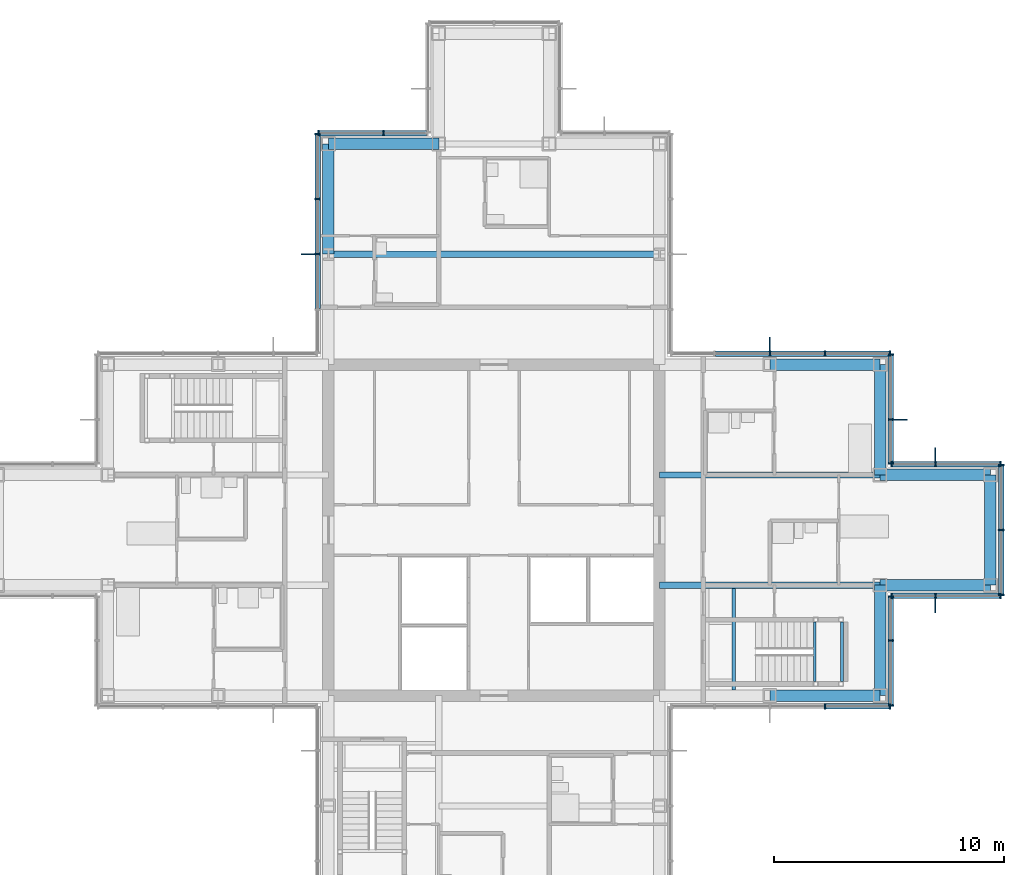
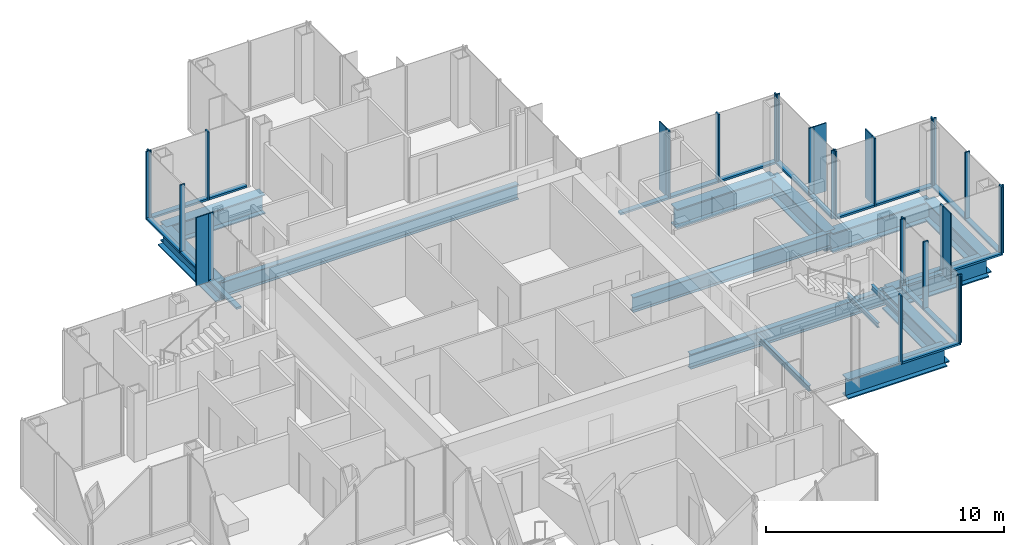
# One storey, part 8 of 17: 49 members, 15 beams, 9 elements without a shape of their own.
"""IFC4 building model written with IfcOpenShell, lengths in metres."""

from ifc_helpers import new_model, si_unit, direction, frame, origin, origin_2d, place, context, subcontext, project, spatial, rectangle, i_section, extrude, material, material_profile, profile_set, type_object, element, aggregate, save


model = new_model("IFC4")

# Units and contexts
model_context = context("Model", 3, precision=1e-05, world=origin(), true_north=direction((0.0, 1.0)))
body_context = subcontext(model_context, "Body", "Model", "MODEL_VIEW")
ifc_project = project(units=[si_unit("LENGTHUNIT", "METRE"), si_unit("AREAUNIT", "SQUARE_METRE"), si_unit("VOLUMEUNIT", "CUBIC_METRE"), si_unit("PLANEANGLEUNIT", "RADIAN"), si_unit("MASSUNIT", "GRAM", prefix="KILO")], contexts=[model_context])

# Site, building, storey
site_placement = place(None, origin())
site = spatial("IfcSite", under=ifc_project, at=site_placement, CompositionType="ELEMENT")
building_placement = place(site_placement, origin())
building = spatial("IfcBuilding", under=site, at=building_placement, Name="Kvirike Care Tower", CompositionType="ELEMENT")
storey_placement = place(building_placement, frame((0.0, 0.0, 169.0)))
storey = spatial("IfcBuildingStorey", under=building, at=storey_placement, Name="L46", CompositionType="ELEMENT", Elevation=169.0)

# Curtain wall, member
ifc_material_1 = material(Name="Anodised aluminium stick system", Category="aluminium")
curtain_wall_type = type_object("IfcCurtainWallType", Name="CW-C STICK CURTAIN WALL", PredefinedType="NOTDEFINED", material=ifc_material_1)
curtain_wall_1_placement = place(storey_placement, origin())
curtain_wall_1 = element("IfcCurtainWall", 1, at=curtain_wall_1_placement, inside=storey, type_object=curtain_wall_type, Name="Curtain wall L46 face 3", PredefinedType="NOTDEFINED")
ifc_material_2 = material(Name="Bronze anodised aluminium fin", Category="aluminium")
ifc_material_profile_1 = material_profile(ifc_material_2, rectangle(XDim=0.050048828125, YDim=0.60009765625, at=origin_2d()), Name="BRONZE FIN 600")
ifc_profile_set_1 = profile_set([ifc_material_profile_1], Name="Bronze anodised aluminium fin")
member_type_1 = type_object("IfcMemberType", Name="BRONZE FIN 600", PredefinedType="USERDEFINED", material=ifc_profile_set_1)
member_1_placement = place(storey_placement, frame((40.800048828125, 32.7099609375, 0.0), z_axis=(0.0, 0.0, 1.0), x_axis=(1.0, 0.0, 0.0)))
member_1 = element("IfcMember", 2, at=member_1_placement, type_object=member_type_1, Name="Bronze fin L46 face 3.2", ObjectType="FIN", PredefinedType="USERDEFINED", context=body_context, shape_type="SweptSolid", body=[
    extrude(rectangle(XDim=0.050048828125, YDim=0.60009765625, at=origin_2d()), origin(), (0.0, 0.0, 1.0), 3.5),
])

curtain_wall_2_placement = place(storey_placement, origin())
curtain_wall_2 = element("IfcCurtainWall", 3, at=curtain_wall_2_placement, inside=storey, type_object=curtain_wall_type, Name="Curtain wall L46 face 5", PredefinedType="NOTDEFINED")
member_2_placement = place(storey_placement, frame((40.800048828125, 39.2900390625, 0.0), z_axis=(0.0, 0.0, 1.0), x_axis=(-1.0, 0.0, 0.0)))
member_2 = element("IfcMember", 4, at=member_2_placement, type_object=member_type_1, Name="Bronze fin L46 face 5.2", ObjectType="FIN", PredefinedType="USERDEFINED", context=body_context, shape_type="SweptSolid", body=[
    extrude(rectangle(XDim=0.050048828125, YDim=0.60009765625, at=origin_2d()), origin(), (0.0, 0.0, 1.0), 3.5),
])

curtain_wall_3_placement = place(storey_placement, origin())
curtain_wall_3 = element("IfcCurtainWall", 5, at=curtain_wall_3_placement, inside=storey, type_object=curtain_wall_type, Name="Curtain wall L46 face 6", PredefinedType="NOTDEFINED")
member_3_placement = place(storey_placement, frame((39.2900390625, 40.800048828125, 0.0), z_axis=(0.0, 0.0, 1.0), x_axis=(0.0, 1.0, 0.0)))
member_3 = element("IfcMember", 6, at=member_3_placement, type_object=member_type_1, Name="Bronze fin L46 face 6.2", ObjectType="FIN", PredefinedType="USERDEFINED", context=body_context, shape_type="SweptSolid", body=[
    extrude(rectangle(XDim=0.050048828125, YDim=0.60009765625, at=origin_2d()), origin(), (0.0, 0.0, 1.0), 3.5),
])

curtain_wall_4_placement = place(storey_placement, origin())
curtain_wall_4 = element("IfcCurtainWall", 7, at=curtain_wall_4_placement, inside=storey, type_object=curtain_wall_type, Name="Curtain wall L46 face 7", PredefinedType="NOTDEFINED")
member_4_placement = place(storey_placement, frame((33.60009765625, 44.090087890625, 0.0), z_axis=(0.0, 0.0, 1.0), x_axis=(-1.0, 0.0, 0.0)))
member_4 = element("IfcMember", 8, at=member_4_placement, type_object=member_type_1, Name="Bronze fin L46 face 7.3", ObjectType="FIN", PredefinedType="USERDEFINED", context=body_context, shape_type="SweptSolid", body=[
    extrude(rectangle(XDim=0.050048828125, YDim=0.60009765625, at=origin_2d()), origin(), (0.0, 0.0, 1.0), 3.5),
])

curtain_wall_5_placement = place(storey_placement, origin())
curtain_wall_5 = element("IfcCurtainWall", 9, at=curtain_wall_5_placement, inside=storey, type_object=curtain_wall_type, Name="Curtain wall L46 face 14", PredefinedType="NOTDEFINED")
member_5_placement = place(storey_placement, frame((13.510009765625, 48.0, 0.0), z_axis=(0.0, 0.0, 1.0), x_axis=(0.0, -1.0, 0.0)))
member_5 = element("IfcMember", 10, at=member_5_placement, type_object=member_type_1, Name="Bronze fin L46 face 14.3", ObjectType="FIN", PredefinedType="USERDEFINED", context=body_context, shape_type="SweptSolid", body=[
    extrude(rectangle(XDim=0.050048828125, YDim=0.60009765625, at=origin_2d()), origin(), (0.0, 0.0, 1.0), 3.5),
])

# Curtain wall, members
curtain_wall_6_placement = place(storey_placement, origin())
curtain_wall_6 = element("IfcCurtainWall", 11, at=curtain_wall_6_placement, inside=storey, type_object=curtain_wall_type, Name="Curtain wall L46 face 1", PredefinedType="NOTDEFINED")
ifc_material_3 = material(Name="Bronze anodised aluminium mullion", Category="aluminium")
ifc_material_profile_2 = material_profile(ifc_material_3, rectangle(XDim=0.06494140625, YDim=0.239990234375, at=origin_2d()), Name="CW-C MULLION 65x240")
ifc_profile_set_2 = profile_set([ifc_material_profile_2], Name="Bronze anodised aluminium mullion")
member_type_2 = type_object("IfcMemberType", Name="CW-C MULLION 65x240", PredefinedType="MULLION", material=ifc_profile_set_2)
member_6_placement = place(storey_placement, frame((36.0, 28.330078125, 0.0), z_axis=(0.0, 0.0, 1.0), x_axis=(1.0, 0.0, 0.0)))
member_6 = element("IfcMember", 12, at=member_6_placement, type_object=member_type_2, Name="CW-C mullion L46 face 1.4", PredefinedType="MULLION", context=body_context, shape_type="SweptSolid", body=[
    extrude(rectangle(XDim=0.06494140625, YDim=0.239990234375, at=origin_2d()), origin(), (0.0, 0.0, 1.0), 3.5),
])
member_7_placement = place(storey_placement, frame((38.83740234375, 28.330078125, 0.0), z_axis=(0.0, 0.0, 1.0), x_axis=(1.0, 0.0, 0.0)))
member_7 = element("IfcMember", 13, at=member_7_placement, type_object=member_type_2, Name="CW-C mullion L46 face 1.5", PredefinedType="MULLION", context=body_context, shape_type="SweptSolid", body=[
    extrude(rectangle(XDim=0.06494140625, YDim=0.239990234375, at=origin_2d()), origin(), (0.0, 0.0, 1.0), 3.5),
])

curtain_wall_7_placement = place(storey_placement, origin())
curtain_wall_7 = element("IfcCurtainWall", 14, at=curtain_wall_7_placement, inside=storey, type_object=curtain_wall_type, Name="Curtain wall L46 face 2", PredefinedType="NOTDEFINED")
member_8_placement = place(storey_placement, frame((38.8701171875, 28.362548828125, 0.0), z_axis=(0.0, 0.0, 1.0), x_axis=(0.0, 1.0, 0.0)))
member_8 = element("IfcMember", 15, at=member_8_placement, type_object=member_type_2, Name="CW-C mullion L46 face 2.1", PredefinedType="MULLION", context=body_context, shape_type="SweptSolid", body=[
    extrude(rectangle(XDim=0.06494140625, YDim=0.239990234375, at=origin_2d()), origin(), (0.0, 0.0, 1.0), 3.5),
])
member_9_placement = place(storey_placement, frame((38.8701171875, 31.199951171875, 0.0), z_axis=(0.0, 0.0, 1.0), x_axis=(0.0, 1.0, 0.0)))
member_9 = element("IfcMember", 16, at=member_9_placement, type_object=member_type_2, Name="CW-C mullion L46 face 2.2", PredefinedType="MULLION", context=body_context, shape_type="SweptSolid", body=[
    extrude(rectangle(XDim=0.06494140625, YDim=0.239990234375, at=origin_2d()), origin(), (0.0, 0.0, 1.0), 3.5),
])
member_10_placement = place(storey_placement, frame((38.8701171875, 33.097412109375, 0.0), z_axis=(0.0, 0.0, 1.0), x_axis=(0.0, 1.0, 0.0)))
member_10 = element("IfcMember", 17, at=member_10_placement, type_object=member_type_2, Name="CW-C mullion L46 face 2.3", PredefinedType="MULLION", context=body_context, shape_type="SweptSolid", body=[
    extrude(rectangle(XDim=0.06494140625, YDim=0.239990234375, at=origin_2d()), origin(), (0.0, 0.0, 1.0), 3.5),
])

# Member
member_11_placement = place(storey_placement, frame((38.902587890625, 33.1298828125, 0.0), z_axis=(0.0, 0.0, 1.0), x_axis=(1.0, 0.0, 0.0)))
member_11 = element("IfcMember", 18, at=member_11_placement, type_object=member_type_2, Name="CW-C mullion L46 face 3.1", PredefinedType="MULLION", context=body_context, shape_type="SweptSolid", body=[
    extrude(rectangle(XDim=0.06494140625, YDim=0.239990234375, at=origin_2d()), origin(), (0.0, 0.0, 1.0), 3.5),
])

member_12_placement = place(storey_placement, frame((40.800048828125, 33.1298828125, 0.0), z_axis=(0.0, 0.0, 1.0), x_axis=(1.0, 0.0, 0.0)))
member_12 = element("IfcMember", 19, at=member_12_placement, type_object=member_type_2, Name="CW-C mullion L46 face 3.2", PredefinedType="MULLION", context=body_context, shape_type="SweptSolid", body=[
    extrude(rectangle(XDim=0.06494140625, YDim=0.239990234375, at=origin_2d()), origin(), (0.0, 0.0, 1.0), 3.5),
])

member_13_placement = place(storey_placement, frame((43.637451171875, 33.1298828125, 0.0), z_axis=(0.0, 0.0, 1.0), x_axis=(1.0, 0.0, 0.0)))
member_13 = element("IfcMember", 20, at=member_13_placement, type_object=member_type_2, Name="CW-C mullion L46 face 3.3", PredefinedType="MULLION", context=body_context, shape_type="SweptSolid", body=[
    extrude(rectangle(XDim=0.06494140625, YDim=0.239990234375, at=origin_2d()), origin(), (0.0, 0.0, 1.0), 3.5),
])

# Curtain wall, members
curtain_wall_8_placement = place(storey_placement, origin())
curtain_wall_8 = element("IfcCurtainWall", 21, at=curtain_wall_8_placement, inside=storey, type_object=curtain_wall_type, Name="Curtain wall L46 face 4", PredefinedType="NOTDEFINED")
member_14_placement = place(storey_placement, frame((43.669921875, 33.16259765625, 0.0), z_axis=(0.0, 0.0, 1.0), x_axis=(0.0, 1.0, 0.0)))
member_14 = element("IfcMember", 22, at=member_14_placement, type_object=member_type_2, Name="CW-C mullion L46 face 4.1", PredefinedType="MULLION", context=body_context, shape_type="SweptSolid", body=[
    extrude(rectangle(XDim=0.06494140625, YDim=0.239990234375, at=origin_2d()), origin(), (0.0, 0.0, 1.0), 3.5),
])
member_15_placement = place(storey_placement, frame((43.669921875, 36.0, 0.0), z_axis=(0.0, 0.0, 1.0), x_axis=(0.0, 1.0, 0.0)))
member_15 = element("IfcMember", 23, at=member_15_placement, type_object=member_type_2, Name="CW-C mullion L46 face 4.2", PredefinedType="MULLION", context=body_context, shape_type="SweptSolid", body=[
    extrude(rectangle(XDim=0.06494140625, YDim=0.239990234375, at=origin_2d()), origin(), (0.0, 0.0, 1.0), 3.5),
])
member_16_placement = place(storey_placement, frame((43.669921875, 38.83740234375, 0.0), z_axis=(0.0, 0.0, 1.0), x_axis=(0.0, 1.0, 0.0)))
member_16 = element("IfcMember", 24, at=member_16_placement, type_object=member_type_2, Name="CW-C mullion L46 face 4.3", PredefinedType="MULLION", context=body_context, shape_type="SweptSolid", body=[
    extrude(rectangle(XDim=0.06494140625, YDim=0.239990234375, at=origin_2d()), origin(), (0.0, 0.0, 1.0), 3.5),
])

# Member
member_17_placement = place(storey_placement, frame((43.637451171875, 38.8701171875, 0.0), z_axis=(0.0, 0.0, 1.0), x_axis=(-1.0, 0.0, 0.0)))
member_17 = element("IfcMember", 25, at=member_17_placement, type_object=member_type_2, Name="CW-C mullion L46 face 5.1", PredefinedType="MULLION", context=body_context, shape_type="SweptSolid", body=[
    extrude(rectangle(XDim=0.06494140625, YDim=0.239990234375, at=origin_2d()), origin(), (0.0, 0.0, 1.0), 3.5),
])

member_18_placement = place(storey_placement, frame((40.800048828125, 38.8701171875, 0.0), z_axis=(0.0, 0.0, 1.0), x_axis=(-1.0, 0.0, 0.0)))
member_18 = element("IfcMember", 26, at=member_18_placement, type_object=member_type_2, Name="CW-C mullion L46 face 5.2", PredefinedType="MULLION", context=body_context, shape_type="SweptSolid", body=[
    extrude(rectangle(XDim=0.06494140625, YDim=0.239990234375, at=origin_2d()), origin(), (0.0, 0.0, 1.0), 3.5),
])

member_19_placement = place(storey_placement, frame((38.902587890625, 38.8701171875, 0.0), z_axis=(0.0, 0.0, 1.0), x_axis=(-1.0, 0.0, 0.0)))
member_19 = element("IfcMember", 27, at=member_19_placement, type_object=member_type_2, Name="CW-C mullion L46 face 5.3", PredefinedType="MULLION", context=body_context, shape_type="SweptSolid", body=[
    extrude(rectangle(XDim=0.06494140625, YDim=0.239990234375, at=origin_2d()), origin(), (0.0, 0.0, 1.0), 3.5),
])

member_20_placement = place(storey_placement, frame((38.8701171875, 38.902587890625, 0.0), z_axis=(0.0, 0.0, 1.0), x_axis=(0.0, 1.0, 0.0)))
member_20 = element("IfcMember", 28, at=member_20_placement, type_object=member_type_2, Name="CW-C mullion L46 face 6.1", PredefinedType="MULLION", context=body_context, shape_type="SweptSolid", body=[
    extrude(rectangle(XDim=0.06494140625, YDim=0.239990234375, at=origin_2d()), origin(), (0.0, 0.0, 1.0), 3.5),
])

member_21_placement = place(storey_placement, frame((38.8701171875, 40.800048828125, 0.0), z_axis=(0.0, 0.0, 1.0), x_axis=(0.0, 1.0, 0.0)))
member_21 = element("IfcMember", 29, at=member_21_placement, type_object=member_type_2, Name="CW-C mullion L46 face 6.2", PredefinedType="MULLION", context=body_context, shape_type="SweptSolid", body=[
    extrude(rectangle(XDim=0.06494140625, YDim=0.239990234375, at=origin_2d()), origin(), (0.0, 0.0, 1.0), 3.5),
])

member_22_placement = place(storey_placement, frame((38.8701171875, 43.637451171875, 0.0), z_axis=(0.0, 0.0, 1.0), x_axis=(0.0, 1.0, 0.0)))
member_22 = element("IfcMember", 30, at=member_22_placement, type_object=member_type_2, Name="CW-C mullion L46 face 6.3", PredefinedType="MULLION", context=body_context, shape_type="SweptSolid", body=[
    extrude(rectangle(XDim=0.06494140625, YDim=0.239990234375, at=origin_2d()), origin(), (0.0, 0.0, 1.0), 3.5),
])

member_23_placement = place(storey_placement, frame((38.83740234375, 43.669921875, 0.0), z_axis=(0.0, 0.0, 1.0), x_axis=(-1.0, 0.0, 0.0)))
member_23 = element("IfcMember", 31, at=member_23_placement, type_object=member_type_2, Name="CW-C mullion L46 face 7.1", PredefinedType="MULLION", context=body_context, shape_type="SweptSolid", body=[
    extrude(rectangle(XDim=0.06494140625, YDim=0.239990234375, at=origin_2d()), origin(), (0.0, 0.0, 1.0), 3.5),
])

member_24_placement = place(storey_placement, frame((36.0, 43.669921875, 0.0), z_axis=(0.0, 0.0, 1.0), x_axis=(-1.0, 0.0, 0.0)))
member_24 = element("IfcMember", 32, at=member_24_placement, type_object=member_type_2, Name="CW-C mullion L46 face 7.2", PredefinedType="MULLION", context=body_context, shape_type="SweptSolid", body=[
    extrude(rectangle(XDim=0.06494140625, YDim=0.239990234375, at=origin_2d()), origin(), (0.0, 0.0, 1.0), 3.5),
])

member_25_placement = place(storey_placement, frame((33.60009765625, 43.669921875, 0.0), z_axis=(0.0, 0.0, 1.0), x_axis=(-1.0, 0.0, 0.0)))
member_25 = element("IfcMember", 33, at=member_25_placement, type_object=member_type_2, Name="CW-C mullion L46 face 7.3", PredefinedType="MULLION", context=body_context, shape_type="SweptSolid", body=[
    extrude(rectangle(XDim=0.06494140625, YDim=0.239990234375, at=origin_2d()), origin(), (0.0, 0.0, 1.0), 3.5),
])

# Curtain wall, members
curtain_wall_9_placement = place(storey_placement, origin())
curtain_wall_9 = element("IfcCurtainWall", 34, at=curtain_wall_9_placement, inside=storey, type_object=curtain_wall_type, Name="Curtain wall L46 face 13", PredefinedType="NOTDEFINED")
member_26_placement = place(storey_placement, frame((16.800048828125, 53.27001953125, 0.0), z_axis=(0.0, 0.0, 1.0), x_axis=(-1.0, 0.0, 0.0)))
member_26 = element("IfcMember", 35, at=member_26_placement, type_object=member_type_2, Name="CW-C mullion L46 face 13.2", PredefinedType="MULLION", context=body_context, shape_type="SweptSolid", body=[
    extrude(rectangle(XDim=0.06494140625, YDim=0.239990234375, at=origin_2d()), origin(), (0.0, 0.0, 1.0), 3.5),
])
member_27_placement = place(storey_placement, frame((13.96240234375, 53.27001953125, 0.0), z_axis=(0.0, 0.0, 1.0), x_axis=(-1.0, 0.0, 0.0)))
member_27 = element("IfcMember", 36, at=member_27_placement, type_object=member_type_2, Name="CW-C mullion L46 face 13.3", PredefinedType="MULLION", context=body_context, shape_type="SweptSolid", body=[
    extrude(rectangle(XDim=0.06494140625, YDim=0.239990234375, at=origin_2d()), origin(), (0.0, 0.0, 1.0), 3.5),
])

# Member
member_28_placement = place(storey_placement, frame((13.929931640625, 53.237548828125, 0.0), z_axis=(0.0, 0.0, 1.0), x_axis=(0.0, -1.0, 0.0)))
member_28 = element("IfcMember", 37, at=member_28_placement, type_object=member_type_2, Name="CW-C mullion L46 face 14.1", PredefinedType="MULLION", context=body_context, shape_type="SweptSolid", body=[
    extrude(rectangle(XDim=0.06494140625, YDim=0.239990234375, at=origin_2d()), origin(), (0.0, 0.0, 1.0), 3.5),
])

member_29_placement = place(storey_placement, frame((13.929931640625, 50.39990234375, 0.0), z_axis=(0.0, 0.0, 1.0), x_axis=(0.0, -1.0, 0.0)))
member_29 = element("IfcMember", 38, at=member_29_placement, type_object=member_type_2, Name="CW-C mullion L46 face 14.2", PredefinedType="MULLION", context=body_context, shape_type="SweptSolid", body=[
    extrude(rectangle(XDim=0.06494140625, YDim=0.239990234375, at=origin_2d()), origin(), (0.0, 0.0, 1.0), 3.5),
])

member_30_placement = place(storey_placement, frame((13.929931640625, 48.0, 0.0), z_axis=(0.0, 0.0, 1.0), x_axis=(0.0, -1.0, 0.0)))
member_30 = element("IfcMember", 39, at=member_30_placement, type_object=member_type_2, Name="CW-C mullion L46 face 14.3", PredefinedType="MULLION", context=body_context, shape_type="SweptSolid", body=[
    extrude(rectangle(XDim=0.06494140625, YDim=0.239990234375, at=origin_2d()), origin(), (0.0, 0.0, 1.0), 3.5),
])

ifc_material_4 = material(Name="Bronze anodised aluminium transom", Category="aluminium")
ifc_material_profile_3 = material_profile(ifc_material_4, rectangle(XDim=0.239990234375, YDim=0.10009765625, at=origin_2d()), Name="CW-C TRANSOM 240x100")
ifc_profile_set_3 = profile_set([ifc_material_profile_3], Name="Bronze anodised aluminium transom")
member_type_3 = type_object("IfcMemberType", Name="CW-C TRANSOM 240x100", PredefinedType="USERDEFINED", material=ifc_profile_set_3)
member_31_placement = place(storey_placement, frame((36.032470703125, 28.330078125, 0.050048828125), z_axis=(1.0, 0.0, 0.0), x_axis=(0.0, 1.0, 0.0)))
member_31 = element("IfcMember", 40, at=member_31_placement, type_object=member_type_3, Name="CW-C sill transom L46 face 1.4", ObjectType="TRANSOM", PredefinedType="USERDEFINED", context=body_context, shape_type="SweptSolid", body=[
    extrude(rectangle(XDim=0.239990234375, YDim=0.10009765625, at=origin_2d()), origin(), (0.0, 0.0, 1.0), 2.7724609375),
])

aggregate(curtain_wall_6, [member_6, member_7, member_31])

member_32_placement = place(storey_placement, frame((38.8701171875, 28.39501953125, 0.050048828125), z_axis=(0.0, 1.0, 0.0), x_axis=(-1.0, 0.0, 0.0)))
member_32 = element("IfcMember", 41, at=member_32_placement, type_object=member_type_3, Name="CW-C sill transom L46 face 2.1", ObjectType="TRANSOM", PredefinedType="USERDEFINED", context=body_context, shape_type="SweptSolid", body=[
    extrude(rectangle(XDim=0.239990234375, YDim=0.10009765625, at=origin_2d()), origin(), (0.0, 0.0, 1.0), 2.7724609375),
])

member_33_placement = place(storey_placement, frame((38.8701171875, 31.232421875, 0.050048828125), z_axis=(0.0, 1.0, 0.0), x_axis=(-1.0, 0.0, 0.0)))
member_33 = element("IfcMember", 42, at=member_33_placement, type_object=member_type_3, Name="CW-C sill transom L46 face 2.2", ObjectType="TRANSOM", PredefinedType="USERDEFINED", context=body_context, shape_type="SweptSolid", body=[
    extrude(rectangle(XDim=0.239990234375, YDim=0.10009765625, at=origin_2d()), origin(), (0.0, 0.0, 1.0), 1.83251953125),
])

aggregate(curtain_wall_7, [member_8, member_9, member_10, member_32, member_33])

member_34_placement = place(storey_placement, frame((38.93505859375, 33.1298828125, 0.050048828125), z_axis=(1.0, 0.0, 0.0), x_axis=(0.0, 1.0, 0.0)))
member_34 = element("IfcMember", 43, at=member_34_placement, type_object=member_type_3, Name="CW-C sill transom L46 face 3.1", ObjectType="TRANSOM", PredefinedType="USERDEFINED", context=body_context, shape_type="SweptSolid", body=[
    extrude(rectangle(XDim=0.239990234375, YDim=0.10009765625, at=origin_2d()), origin(), (0.0, 0.0, 1.0), 1.83251953125),
])

member_35_placement = place(storey_placement, frame((40.83251953125, 33.1298828125, 0.050048828125), z_axis=(1.0, 0.0, 0.0), x_axis=(0.0, 1.0, 0.0)))
member_35 = element("IfcMember", 44, at=member_35_placement, type_object=member_type_3, Name="CW-C sill transom L46 face 3.2", ObjectType="TRANSOM", PredefinedType="USERDEFINED", context=body_context, shape_type="SweptSolid", body=[
    extrude(rectangle(XDim=0.239990234375, YDim=0.10009765625, at=origin_2d()), origin(), (0.0, 0.0, 1.0), 2.7724609375),
])

aggregate(curtain_wall_1, [member_11, member_12, member_1, member_13, member_34, member_35])

member_36_placement = place(storey_placement, frame((43.669921875, 33.195068359375, 0.050048828125), z_axis=(0.0, 1.0, 0.0), x_axis=(-1.0, 0.0, 0.0)))
member_36 = element("IfcMember", 45, at=member_36_placement, type_object=member_type_3, Name="CW-C sill transom L46 face 4.1", ObjectType="TRANSOM", PredefinedType="USERDEFINED", context=body_context, shape_type="SweptSolid", body=[
    extrude(rectangle(XDim=0.239990234375, YDim=0.10009765625, at=origin_2d()), origin(), (0.0, 0.0, 1.0), 2.7724609375),
])

member_37_placement = place(storey_placement, frame((43.669921875, 36.032470703125, 0.050048828125), z_axis=(0.0, 1.0, 0.0), x_axis=(-1.0, 0.0, 0.0)))
member_37 = element("IfcMember", 46, at=member_37_placement, type_object=member_type_3, Name="CW-C sill transom L46 face 4.2", ObjectType="TRANSOM", PredefinedType="USERDEFINED", context=body_context, shape_type="SweptSolid", body=[
    extrude(rectangle(XDim=0.239990234375, YDim=0.10009765625, at=origin_2d()), origin(), (0.0, 0.0, 1.0), 2.7724609375),
])

aggregate(curtain_wall_8, [member_14, member_15, member_16, member_36, member_37])

member_38_placement = place(storey_placement, frame((43.60498046875, 38.8701171875, 0.050048828125), z_axis=(-1.0, 0.0, 0.0), x_axis=(0.0, -1.0, 0.0)))
member_38 = element("IfcMember", 47, at=member_38_placement, type_object=member_type_3, Name="CW-C sill transom L46 face 5.1", ObjectType="TRANSOM", PredefinedType="USERDEFINED", context=body_context, shape_type="SweptSolid", body=[
    extrude(rectangle(XDim=0.239990234375, YDim=0.10009765625, at=origin_2d()), origin(), (0.0, 0.0, 1.0), 2.7724609375),
])

member_39_placement = place(storey_placement, frame((40.767578125, 38.8701171875, 0.050048828125), z_axis=(-1.0, 0.0, 0.0), x_axis=(0.0, -1.0, 0.0)))
member_39 = element("IfcMember", 48, at=member_39_placement, type_object=member_type_3, Name="CW-C sill transom L46 face 5.2", ObjectType="TRANSOM", PredefinedType="USERDEFINED", context=body_context, shape_type="SweptSolid", body=[
    extrude(rectangle(XDim=0.239990234375, YDim=0.10009765625, at=origin_2d()), origin(), (0.0, 0.0, 1.0), 1.83251953125),
])

aggregate(curtain_wall_2, [member_17, member_18, member_2, member_19, member_38, member_39])

member_40_placement = place(storey_placement, frame((38.8701171875, 38.93505859375, 0.050048828125), z_axis=(0.0, 1.0, 0.0), x_axis=(-1.0, 0.0, 0.0)))
member_40 = element("IfcMember", 49, at=member_40_placement, type_object=member_type_3, Name="CW-C sill transom L46 face 6.1", ObjectType="TRANSOM", PredefinedType="USERDEFINED", context=body_context, shape_type="SweptSolid", body=[
    extrude(rectangle(XDim=0.239990234375, YDim=0.10009765625, at=origin_2d()), origin(), (0.0, 0.0, 1.0), 1.83251953125),
])

member_41_placement = place(storey_placement, frame((38.8701171875, 40.83251953125, 0.050048828125), z_axis=(0.0, 1.0, 0.0), x_axis=(-1.0, 0.0, 0.0)))
member_41 = element("IfcMember", 50, at=member_41_placement, type_object=member_type_3, Name="CW-C sill transom L46 face 6.2", ObjectType="TRANSOM", PredefinedType="USERDEFINED", context=body_context, shape_type="SweptSolid", body=[
    extrude(rectangle(XDim=0.239990234375, YDim=0.10009765625, at=origin_2d()), origin(), (0.0, 0.0, 1.0), 2.7724609375),
])

aggregate(curtain_wall_3, [member_20, member_21, member_3, member_22, member_40, member_41])

member_42_placement = place(storey_placement, frame((38.804931640625, 43.669921875, 0.050048828125), z_axis=(-1.0, 0.0, 0.0), x_axis=(0.0, -1.0, 0.0)))
member_42 = element("IfcMember", 51, at=member_42_placement, type_object=member_type_3, Name="CW-C sill transom L46 face 7.1", ObjectType="TRANSOM", PredefinedType="USERDEFINED", context=body_context, shape_type="SweptSolid", body=[
    extrude(rectangle(XDim=0.239990234375, YDim=0.10009765625, at=origin_2d()), origin(), (0.0, 0.0, 1.0), 2.7724609375),
])

member_43_placement = place(storey_placement, frame((35.967529296875, 43.669921875, 0.050048828125), z_axis=(-1.0, 0.0, 0.0), x_axis=(0.0, -1.0, 0.0)))
member_43 = element("IfcMember", 52, at=member_43_placement, type_object=member_type_3, Name="CW-C sill transom L46 face 7.2", ObjectType="TRANSOM", PredefinedType="USERDEFINED", context=body_context, shape_type="SweptSolid", body=[
    extrude(rectangle(XDim=0.239990234375, YDim=0.10009765625, at=origin_2d()), origin(), (0.0, 0.0, 1.0), 2.3349609375),
])

member_44_placement = place(storey_placement, frame((33.5673828125, 43.669921875, 0.050048828125), z_axis=(-1.0, 0.0, 0.0), x_axis=(0.0, -1.0, 0.0)))
member_44 = element("IfcMember", 53, at=member_44_placement, type_object=member_type_3, Name="CW-C sill transom L46 face 7.3", ObjectType="TRANSOM", PredefinedType="USERDEFINED", context=body_context, shape_type="SweptSolid", body=[
    extrude(rectangle(XDim=0.239990234375, YDim=0.10009765625, at=origin_2d()), origin(), (0.0, 0.0, 1.0), 2.3349609375),
])

aggregate(curtain_wall_4, [member_23, member_24, member_25, member_4, member_42, member_43, member_44])

member_45_placement = place(storey_placement, frame((18.6650390625, 53.27001953125, 0.050048828125), z_axis=(-1.0, 0.0, 0.0), x_axis=(0.0, -1.0, 0.0)))
member_45 = element("IfcMember", 54, at=member_45_placement, type_object=member_type_3, Name="CW-C sill transom L46 face 13.1", ObjectType="TRANSOM", PredefinedType="USERDEFINED", context=body_context, shape_type="SweptSolid", body=[
    extrude(rectangle(XDim=0.239990234375, YDim=0.10009765625, at=origin_2d()), origin(), (0.0, 0.0, 1.0), 1.83251953125),
])

member_46_placement = place(storey_placement, frame((16.767578125, 53.27001953125, 0.050048828125), z_axis=(-1.0, 0.0, 0.0), x_axis=(0.0, -1.0, 0.0)))
member_46 = element("IfcMember", 55, at=member_46_placement, type_object=member_type_3, Name="CW-C sill transom L46 face 13.2", ObjectType="TRANSOM", PredefinedType="USERDEFINED", context=body_context, shape_type="SweptSolid", body=[
    extrude(rectangle(XDim=0.239990234375, YDim=0.10009765625, at=origin_2d()), origin(), (0.0, 0.0, 1.0), 2.7724609375),
])

aggregate(curtain_wall_9, [member_26, member_27, member_45, member_46])

member_47_placement = place(storey_placement, frame((13.929931640625, 53.205078125, 0.050048828125), z_axis=(0.0, -1.0, 0.0), x_axis=(1.0, 0.0, 0.0)))
member_47 = element("IfcMember", 56, at=member_47_placement, type_object=member_type_3, Name="CW-C sill transom L46 face 14.1", ObjectType="TRANSOM", PredefinedType="USERDEFINED", context=body_context, shape_type="SweptSolid", body=[
    extrude(rectangle(XDim=0.239990234375, YDim=0.10009765625, at=origin_2d()), origin(), (0.0, 0.0, 1.0), 2.7724609375),
])

member_48_placement = place(storey_placement, frame((13.929931640625, 50.367431640625, 0.050048828125), z_axis=(0.0, -1.0, 0.0), x_axis=(1.0, 0.0, 0.0)))
member_48 = element("IfcMember", 57, at=member_48_placement, type_object=member_type_3, Name="CW-C sill transom L46 face 14.2", ObjectType="TRANSOM", PredefinedType="USERDEFINED", context=body_context, shape_type="SweptSolid", body=[
    extrude(rectangle(XDim=0.239990234375, YDim=0.10009765625, at=origin_2d()), origin(), (0.0, 0.0, 1.0), 2.3349609375),
])

member_49_placement = place(storey_placement, frame((13.929931640625, 47.967529296875, 0.050048828125), z_axis=(0.0, -1.0, 0.0), x_axis=(1.0, 0.0, 0.0)))
member_49 = element("IfcMember", 58, at=member_49_placement, type_object=member_type_3, Name="CW-C sill transom L46 face 14.3", ObjectType="TRANSOM", PredefinedType="USERDEFINED", context=body_context, shape_type="SweptSolid", body=[
    extrude(rectangle(XDim=0.239990234375, YDim=0.10009765625, at=origin_2d()), origin(), (0.0, 0.0, 1.0), 2.3349609375),
])

aggregate(curtain_wall_5, [member_28, member_29, member_30, member_5, member_47, member_48, member_49])

# Beams
ifc_material_5 = material(Name="Steel S355", Category="steel")
ifc_material_profile_4 = material_profile(ifc_material_5, i_section(OverallWidth=0.26806640625, OverallDepth=0.77001953125, WebThickness=0.015625, FlangeThickness=0.025390625, FilletRadius=0.01708984375, at=origin_2d()), Name="IPE 750x196")
ifc_profile_set_4 = profile_set([ifc_material_profile_4], Name="Steel S355")
beam_type_1 = type_object("IfcBeamType", Name="FLOOR BEAM IPE 750x196", PredefinedType="BEAM", material=ifc_profile_set_4)
for number, where, z_axis, x_axis, name in (
    (59, (28.800048828125, 33.60009765625, -0.554931640625), (1.0, 0.0, 0.0), (0.0, 1.0, 0.0), "Floor Beam H9-H11 L46"),
    (60, (28.800048828125, 38.39990234375, -0.554931640625), (1.0, 0.0, 0.0), (0.0, 1.0, 0.0), "Floor Beam J9-J11 L46"),
):
    element("IfcBeam", number, at=place(storey_placement, frame(where, z_axis=z_axis, x_axis=x_axis)), inside=storey, type_object=beam_type_1, Name=name, PredefinedType="BEAM", context=body_context, shape_type="SweptSolid", body=[
        extrude(i_section(OverallWidth=0.26806640625, OverallDepth=0.77001953125, WebThickness=0.015625, FlangeThickness=0.025390625, FilletRadius=0.01708984375, at=origin_2d()), origin(), (0.0, 0.0, 1.0), 9.599853515625),
    ])
beam_1_placement = place(storey_placement, frame((14.39990234375, 48.0, -0.554931640625), z_axis=(1.0, 0.0, 0.0), x_axis=(0.0, 1.0, 0.0)))
element("IfcBeam", 61, at=beam_1_placement, inside=storey, type_object=beam_type_1, Name="Floor Beam L6-L9 L46", PredefinedType="BEAM", context=body_context, shape_type="SweptSolid", body=[
    extrude(i_section(OverallWidth=0.26806640625, OverallDepth=0.77001953125, WebThickness=0.015625, FlangeThickness=0.025390625, FilletRadius=0.01708984375, at=origin_2d()), origin(), (0.0, 0.0, 1.0), 14.400146484375),
])
ifc_material_6 = material(Name="Steel S355", Category="steel")
ifc_material_profile_5 = material_profile(ifc_material_6, i_section(OverallWidth=0.5, OverallDepth=1.0, WebThickness=0.030029296875, FlangeThickness=0.06005859375, at=origin_2d()), Name="PG 1000x500x30x60")
ifc_profile_set_5 = profile_set([ifc_material_profile_5], Name="Steel S355")
beam_type_2 = type_object("IfcBeamType", Name="SPANDREL PG 1000x500x30x60", PredefinedType="SPANDREL", material=ifc_profile_set_5)
beam_2_placement = place(storey_placement, frame((33.60009765625, 28.800048828125, -0.669921875), z_axis=(1.0, 0.0, 0.0), x_axis=(0.0, 1.0, 0.0)))
element("IfcBeam", 62, at=beam_2_placement, inside=storey, type_object=beam_type_2, Name="Spandrel G10-G11 L46", PredefinedType="SPANDREL", context=body_context, shape_type="SweptSolid", body=[
    extrude(i_section(OverallWidth=0.5, OverallDepth=1.0, WebThickness=0.030029296875, FlangeThickness=0.06005859375, at=origin_2d()), origin(), (0.0, 0.0, 1.0), 4.7998046875),
])
for number, where, z_axis, x_axis, name in (
    (63, (38.39990234375, 33.60009765625, -0.669921875), (1.0, 0.0, 0.0), (0.0, 1.0, 0.0), "Spandrel H11-H12 L46"),
    (64, (38.39990234375, 38.39990234375, -0.669921875), (1.0, 0.0, 0.0), (0.0, 1.0, 0.0), "Spandrel J11-J12 L46"),
):
    element("IfcBeam", number, at=place(storey_placement, frame(where, z_axis=z_axis, x_axis=x_axis)), inside=storey, type_object=beam_type_2, Name=name, PredefinedType="SPANDREL", context=body_context, shape_type="SweptSolid", body=[
        extrude(i_section(OverallWidth=0.5, OverallDepth=1.0, WebThickness=0.030029296875, FlangeThickness=0.06005859375, at=origin_2d()), origin(), (0.0, 0.0, 1.0), 4.800048828125),
    ])
beam_3_placement = place(storey_placement, frame((33.60009765625, 43.199951171875, -0.669921875), z_axis=(1.0, 0.0, 0.0), x_axis=(0.0, 1.0, 0.0)))
element("IfcBeam", 65, at=beam_3_placement, inside=storey, type_object=beam_type_2, Name="Spandrel K10-K11 L46", PredefinedType="SPANDREL", context=body_context, shape_type="SweptSolid", body=[
    extrude(i_section(OverallWidth=0.5, OverallDepth=1.0, WebThickness=0.030029296875, FlangeThickness=0.06005859375, at=origin_2d()), origin(), (0.0, 0.0, 1.0), 4.7998046875),
])
for number, where, z_axis, x_axis, name in (
    (66, (14.39990234375, 52.800048828125, -0.669921875), (1.0, 0.0, 0.0), (0.0, 1.0, 0.0), "Spandrel M6-M7 L46"),
    (67, (14.39990234375, 48.0, -0.669921875), (0.0, 1.0, 0.0), (-1.0, 0.0, 0.0), "Spandrel L6-M6 L46"),
    (68, (38.39990234375, 28.800048828125, -0.669921875), (0.0, 1.0, 0.0), (-1.0, 0.0, 0.0), "Spandrel G11-H11 L46"),
    (69, (38.39990234375, 38.39990234375, -0.669921875), (0.0, 1.0, 0.0), (-1.0, 0.0, 0.0), "Spandrel J11-K11 L46"),
):
    element("IfcBeam", number, at=place(storey_placement, frame(where, z_axis=z_axis, x_axis=x_axis)), inside=storey, type_object=beam_type_2, Name=name, PredefinedType="SPANDREL", context=body_context, shape_type="SweptSolid", body=[
        extrude(i_section(OverallWidth=0.5, OverallDepth=1.0, WebThickness=0.030029296875, FlangeThickness=0.06005859375, at=origin_2d()), origin(), (0.0, 0.0, 1.0), 4.800048828125),
    ])
beam_4_placement = place(storey_placement, frame((43.199951171875, 33.60009765625, -0.669921875), z_axis=(0.0, 1.0, 0.0), x_axis=(-1.0, 0.0, 0.0)))
element("IfcBeam", 70, at=beam_4_placement, inside=storey, type_object=beam_type_2, Name="Spandrel H12-J12 L46", PredefinedType="SPANDREL", context=body_context, shape_type="SweptSolid", body=[
    extrude(i_section(OverallWidth=0.5, OverallDepth=1.0, WebThickness=0.030029296875, FlangeThickness=0.06005859375, at=origin_2d()), origin(), (0.0, 0.0, 1.0), 4.7998046875),
])
ifc_material_7 = material(Name="Steel S355", Category="steel")
ifc_material_profile_6 = material_profile(ifc_material_7, i_section(OverallWidth=0.1201171875, OverallDepth=0.239990234375, WebThickness=0.006103515625, FlangeThickness=0.009765625, FilletRadius=0.014892578125, at=origin_2d()), Name="IPE 240")
ifc_profile_set_6 = profile_set([ifc_material_profile_6], Name="Steel S355")
beam_type_3 = type_object("IfcBeamType", Name="STAIR LANDING BEAM IPE 240", PredefinedType="BEAM", material=ifc_profile_set_6)
for number, where, z_axis, x_axis, name in (
    (71, (36.739990234375, 29.39990234375, 1.429931640625), (0.0, 1.0, 0.0), (-1.0, 0.0, 0.0), "Stair 2 landing beam back L46"),
    (72, (35.56005859375, 29.39990234375, 1.429931640625), (0.0, 1.0, 0.0), (-1.0, 0.0, 0.0), "Stair 2 landing beam front L46"),
):
    element("IfcBeam", number, at=place(storey_placement, frame(where, z_axis=z_axis, x_axis=x_axis)), inside=storey, type_object=beam_type_3, Name=name, PredefinedType="BEAM", context=body_context, shape_type="SweptSolid", body=[
        extrude(i_section(OverallWidth=0.1201171875, OverallDepth=0.239990234375, WebThickness=0.006103515625, FlangeThickness=0.009765625, FilletRadius=0.014892578125, at=origin_2d()), origin(), (0.0, 0.0, 1.0), 2.60009765625),
    ])
ifc_material_8 = material(Name="Steel S355", Category="steel")
ifc_material_profile_7 = material_profile(ifc_material_8, i_section(OverallWidth=0.14990234375, OverallDepth=0.300048828125, WebThickness=0.007080078125, FlangeThickness=0.0107421875, FilletRadius=0.014892578125, at=origin_2d()), Name="IPE 300")
ifc_profile_set_7 = profile_set([ifc_material_profile_7], Name="Steel S355")
beam_type_4 = type_object("IfcBeamType", Name="STAIR TRIMMER IPE 300", PredefinedType="BEAM", material=ifc_profile_set_7)
beam_5_placement = place(storey_placement, frame((32.02490234375, 29.050048828125, -0.35009765625), z_axis=(0.0, 1.0, 0.0), x_axis=(-1.0, 0.0, 0.0)))
element("IfcBeam", 73, at=beam_5_placement, inside=storey, type_object=beam_type_4, Name="Stair 2 trimmer 1 L46", PredefinedType="BEAM", context=body_context, shape_type="SweptSolid", body=[
    extrude(i_section(OverallWidth=0.14990234375, OverallDepth=0.300048828125, WebThickness=0.007080078125, FlangeThickness=0.0107421875, FilletRadius=0.014892578125, at=origin_2d()), origin(), (0.0, 0.0, 1.0), 4.416015625),
])

save(model, "model.ifc")
